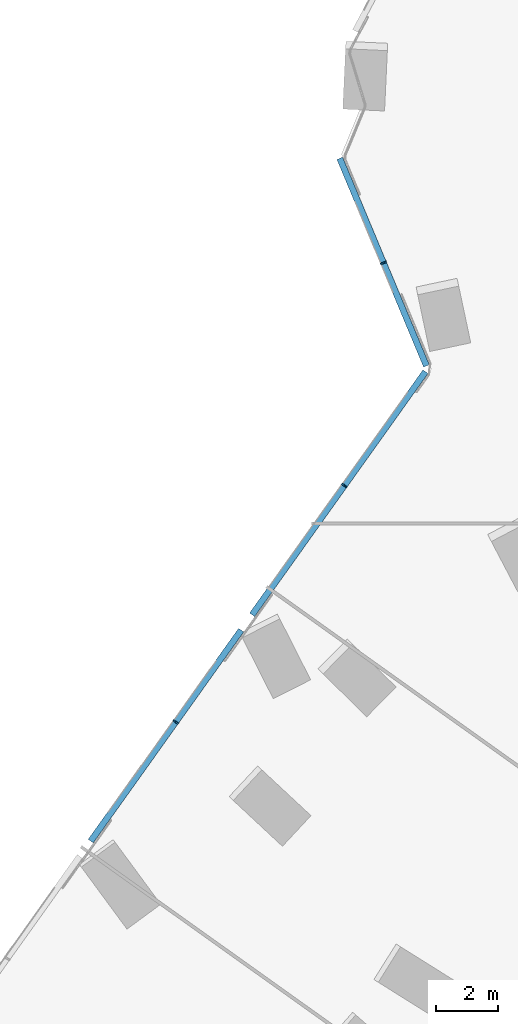
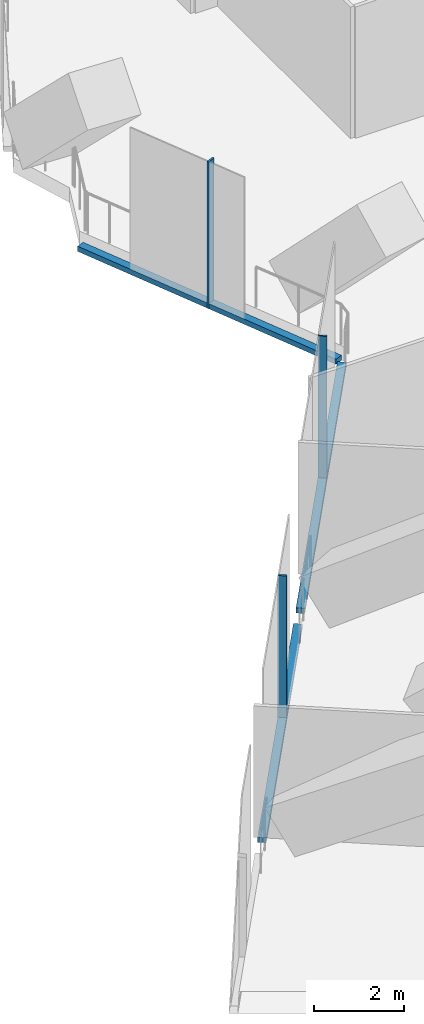
# One storey, part 7 of 34: 6 members, 2 elements without a shape of their own.
"""IFC4 building model written with IfcOpenShell, lengths in metres."""

from ifc_helpers import new_model, si_unit, direction, frame, origin, origin_2d, place, context, subcontext, project, spatial, rectangle, extrude, material, material_profile, profile_set, type_object, element, aggregate, save


model = new_model("IFC4")

# Units and contexts
model_context = context("Model", 3, precision=1e-05, world=origin(), true_north=direction((0.0, 1.0)))
body_context = subcontext(model_context, "Body", "Model", "MODEL_VIEW")
ifc_project = project(units=[si_unit("LENGTHUNIT", "METRE"), si_unit("AREAUNIT", "SQUARE_METRE"), si_unit("VOLUMEUNIT", "CUBIC_METRE"), si_unit("PLANEANGLEUNIT", "RADIAN"), si_unit("MASSUNIT", "GRAM", prefix="KILO")], contexts=[model_context])

# Site, building, storey
site_placement = place(None, origin())
site = spatial("IfcSite", under=ifc_project, at=site_placement, CompositionType="ELEMENT")
building_placement = place(site_placement, origin())
building = spatial("IfcBuilding", under=site, at=building_placement, Name="Orlundy Tower", CompositionType="ELEMENT")
storey_placement = place(building_placement, frame((0.0, 0.0, 98.199951171875)))
storey = spatial("IfcBuildingStorey", under=building, at=storey_placement, Name="L24", CompositionType="ELEMENT", Elevation=98.199951171875)

# Curtain wall, members
ifc_material_1 = material(Name="Aluminium bronze anodised", Category="aluminium")
curtain_wall_type = type_object("IfcCurtainWallType", Name="CW5 wall", PredefinedType="NOTDEFINED", material=ifc_material_1)
curtain_wall_1_placement = place(storey_placement, origin())
curtain_wall_1 = element("IfcCurtainWall", 1, at=curtain_wall_1_placement, inside=storey, type_object=curtain_wall_type, Name="CW5 run 012", PredefinedType="NOTDEFINED")
ifc_material_2 = material(Name="Aluminium bronze anodised", Category="aluminium")
ifc_material_profile_1 = material_profile(ifc_material_2, rectangle(XDim=0.199951171875, YDim=0.050048828125, at=origin_2d()), Name="CW5 mullion 50x200")
ifc_profile_set_1 = profile_set([ifc_material_profile_1], Name="Aluminium bronze anodised")
member_type_1 = type_object("IfcMemberType", Name="CW5 mullion 50x200", PredefinedType="MULLION", material=ifc_profile_set_1)
member_1_placement = place(storey_placement, frame((-37.8193359375, -18.407470703125, -0.39990234375), z_axis=(0.0, 0.0, 1.0), x_axis=(-0.814129962305, 0.580682705509, 0.0)))
member_1 = element("IfcMember", 2, at=member_1_placement, type_object=member_type_1, Name="CW5 mullion 23", PredefinedType="MULLION", context=body_context, shape_type="SweptSolid", body=[
    extrude(rectangle(XDim=0.199951171875, YDim=0.050048828125, at=origin_2d()), origin(), (0.0, 0.0, 1.0), 4.0),
])
member_2_placement = place(storey_placement, frame((-32.37939453125, -10.780517578125, -0.39990234375), z_axis=(0.0, 0.0, 1.0), x_axis=(-0.814129962305, 0.580682705509, 0.0)))
member_2 = element("IfcMember", 3, at=member_2_placement, type_object=member_type_1, Name="CW5 mullion 25", PredefinedType="MULLION", context=body_context, shape_type="SweptSolid", body=[
    extrude(rectangle(XDim=0.199951171875, YDim=0.050048828125, at=origin_2d()), origin(), (0.0, 0.0, 1.0), 4.0),
])

# Curtain wall, member
curtain_wall_2_placement = place(storey_placement, origin())
curtain_wall_2 = element("IfcCurtainWall", 4, at=curtain_wall_2_placement, inside=storey, type_object=curtain_wall_type, Name="CW5 run 013", PredefinedType="NOTDEFINED")
member_3_placement = place(storey_placement, frame((-31.1171875, -3.59814453125, -0.39990234375), z_axis=(0.0, 0.0, 1.0), x_axis=(-0.922789115528, -0.385305396099, 0.0)))
member_3 = element("IfcMember", 5, at=member_3_placement, type_object=member_type_1, Name="CW5 mullion 27", PredefinedType="MULLION", context=body_context, shape_type="SweptSolid", body=[
    extrude(rectangle(XDim=0.199951171875, YDim=0.050048828125, at=origin_2d()), origin(), (0.0, 0.0, 1.0), 4.0),
])

# Member
ifc_material_3 = material(Name="Aluminium bronze anodised", Category="aluminium")
ifc_material_profile_2 = material_profile(ifc_material_3, rectangle(XDim=0.199951171875, YDim=0.139892578125, at=origin_2d()), Name="CW5 transom 200x140")
ifc_profile_set_2 = profile_set([ifc_material_profile_2], Name="Aluminium bronze anodised")
member_type_2 = type_object("IfcMemberType", Name="CW5 transom 200x140", PredefinedType="USERDEFINED", material=ifc_profile_set_2)
member_4_placement = place(storey_placement, frame((-40.56005859375, -22.25, -0.329833984375), z_axis=(0.580674343343, 0.814135926601, 0.0), x_axis=(-0.814135926601, 0.580674343343, 0.0)))
member_4 = element("IfcMember", 6, at=member_4_placement, type_object=member_type_2, Name="CW5 transom", ObjectType="TRANSOM", PredefinedType="USERDEFINED", context=body_context, shape_type="SweptSolid", body=[
    extrude(rectangle(XDim=0.199951171875, YDim=0.139892578125, at=origin_2d()), origin(), (0.0, 0.0, 1.0), 8.357666015625),
])

member_5_placement = place(storey_placement, frame((-35.353271484375, -14.949951171875, -0.329833984375), z_axis=(0.580686604239, 0.8141271815, 0.0), x_axis=(-0.8141271815, 0.580686604239, 0.0)))
member_5 = element("IfcMember", 7, at=member_5_placement, type_object=member_type_2, Name="CW5 transom", ObjectType="TRANSOM", PredefinedType="USERDEFINED", context=body_context, shape_type="SweptSolid", body=[
    extrude(rectangle(XDim=0.199951171875, YDim=0.139892578125, at=origin_2d()), origin(), (0.0, 0.0, 1.0), 9.632080078125),
])

aggregate(curtain_wall_1, [member_1, member_2, member_4, member_5])

member_6_placement = place(storey_placement, frame((-29.730224609375, -6.919921875, -0.329833984375), z_axis=(-0.385296251083, 0.922792933925, 0.0), x_axis=(-0.922792933925, -0.385296251083, 0.0)))
member_6 = element("IfcMember", 8, at=member_6_placement, type_object=member_type_2, Name="CW5 transom", ObjectType="TRANSOM", PredefinedType="USERDEFINED", context=body_context, shape_type="SweptSolid", body=[
    extrude(rectangle(XDim=0.199951171875, YDim=0.139892578125, at=origin_2d()), origin(), (0.0, 0.0, 1.0), 7.255126953125),
])

aggregate(curtain_wall_2, [member_3, member_6])

save(model, "model.ifc")
